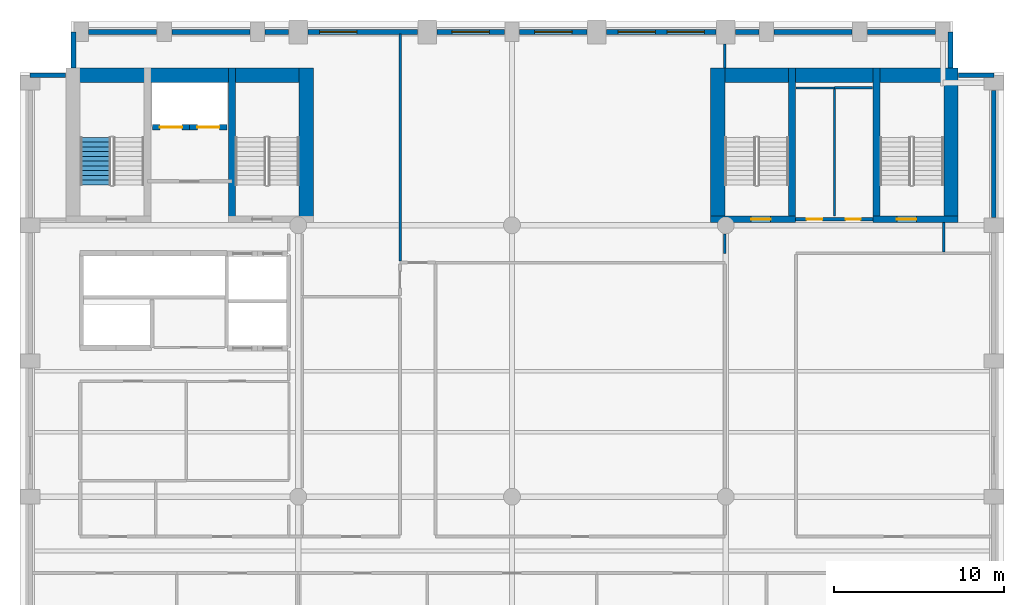
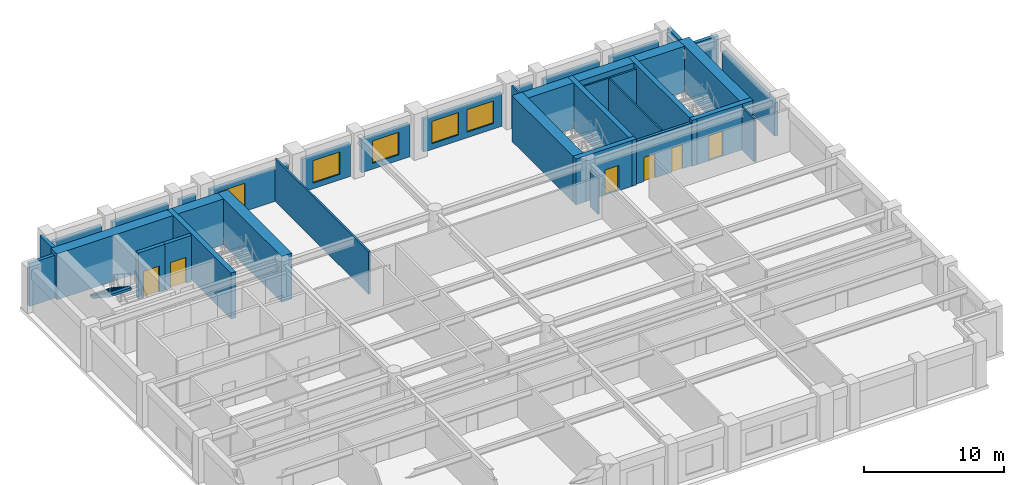
# One storey, part 5 of 8: 35 walls, 6 doors, 5 windows, 1 stair flight, 11 openings, 1 element without a shape of its own.
"""IFC4 building model written with IfcOpenShell, lengths in metres."""

from ifc_helpers import new_model, si_unit, direction, frame, frame_2d, origin, place, context, subcontext, project, spatial, polyline, rectangle, outline, extrude, material, layer, layer_set, type_object, element, fill, aggregate, save


model = new_model("IFC4")

# Units and contexts
model_context = context("Model", 3, precision=1e-05, world=origin(), true_north=direction((0.0, 1.0)))
body_context = subcontext(model_context, "Body", "Model", "MODEL_VIEW")
ifc_project = project(units=[si_unit("LENGTHUNIT", "METRE"), si_unit("AREAUNIT", "SQUARE_METRE"), si_unit("VOLUMEUNIT", "CUBIC_METRE"), si_unit("PLANEANGLEUNIT", "RADIAN"), si_unit("MASSUNIT", "GRAM", prefix="KILO")], contexts=[model_context])

# Site, building, storey
site_placement = place(None, origin())
site = spatial("IfcSite", under=ifc_project, at=site_placement, CompositionType="ELEMENT")
building_placement = place(site_placement, origin())
building = spatial("IfcBuilding", under=site, at=building_placement, Name="Sulina Concourse Tower", CompositionType="ELEMENT")
storey_placement = place(building_placement, frame((0.0, 0.0, 132.60009765625)))
storey = spatial("IfcBuildingStorey", under=building, at=storey_placement, Name="L32", CompositionType="ELEMENT", Elevation=132.60009765625)

# Wall, opening, door
ifc_material_1 = material(Name="Concrete C50/60", Category="concrete")
ifc_layer_1 = layer(ifc_material_1, 0.300048828125)
ifc_layer_set_1 = layer_set([ifc_layer_1], Name="Concrete C50/60")
wall_type_1 = type_object("IfcWallType", Name="Core Lift Hoistway Wall 300mm", PredefinedType="SOLIDWALL", material=ifc_layer_set_1)
wall_1_placement = place(storey_placement, frame((10.0, 39.780029296875, 0.0), z_axis=(0.0, 0.0, 1.0), x_axis=(-1.0, 0.0, 0.0)))
wall_1 = element("IfcWall", 1, at=wall_1_placement, inside=storey, type_object=wall_type_1, Name="L32 hoistway enclosure wall FFL-1", PredefinedType="SOLIDWALL", context=body_context, shape_type="SweptSolid", body=[
    extrude(rectangle(XDim=2.199951171875, YDim=0.300048828125, at=frame_2d((1.10009765625, 0.0))), origin(), (0.0, 0.0, 1.0), 4.0),
])
opening_1_placement = place(wall_1_placement, frame((0.449951171875, 0.0, 0.0)))
opening_1 = element("IfcOpeningElement", 2, at=opening_1_placement, cuts=wall_1, Name="Opening LD-02", PredefinedType="OPENING", context=body_context, shape_type="SweptSolid", body=[
    extrude(rectangle(XDim=1.300048828125, YDim=2.25, at=frame_2d((0.64990234375, 1.125))), frame((0.0, 0.159912109375, 0.0), z_axis=(0.0, -1.0, 0.0), x_axis=(1.0, 0.0, 0.0)), (0.0, 0.0, 1.0), 0.320068359375),
])
ifc_material_2 = material(Name="Stainless steel lift landing door", Category="steel")
ifc_layer_2 = layer(ifc_material_2, 0.050048828125)
ifc_layer_set_2 = layer_set([ifc_layer_2], Name="Stainless steel lift landing door")
door_type_1 = type_object("IfcDoorType", Name="Firefighting Lift Sliding Landing Door 1300x2250", OperationType="SLIDING_TO_RIGHT", PredefinedType="DOOR", material=ifc_layer_set_2)
door_1_placement = place(opening_1_placement, origin())
door_1 = element("IfcDoor", 3, at=door_1_placement, inside=storey, type_object=door_type_1, Name="L32 lift landing sliding door FFL-1", OperationType="SLIDING_TO_LEFT", OverallHeight=2.25, OverallWidth=1.300048828125, PredefinedType="DOOR", context=body_context, shape_type="SweptSolid", body=[
    extrude(rectangle(XDim=1.300048828125, YDim=2.25, at=frame_2d((0.64990234375, 1.125))), frame((0.0, 0.02490234375, 0.0), z_axis=(0.0, -1.0, 0.0), x_axis=(1.0, 0.0, 0.0)), (0.0, 0.0, 1.0), 0.050048828125),
])
fill(opening_1, door_1)

wall_2_placement = place(storey_placement, frame((12.199951171875, 39.780029296875, 0.0), z_axis=(0.0, 0.0, 1.0), x_axis=(-1.0, 0.0, 0.0)))
wall_2 = element("IfcWall", 4, at=wall_2_placement, inside=storey, type_object=wall_type_1, Name="L32 hoistway enclosure wall FFL-2", PredefinedType="SOLIDWALL", context=body_context, shape_type="SweptSolid", body=[
    extrude(rectangle(XDim=2.199951171875, YDim=0.300048828125, at=frame_2d((1.10009765625, 0.0))), origin(), (0.0, 0.0, 1.0), 4.0),
])
opening_2_placement = place(wall_2_placement, frame((0.449951171875, 0.0, 0.0)))
opening_2 = element("IfcOpeningElement", 5, at=opening_2_placement, cuts=wall_2, Name="Opening LD-02", PredefinedType="OPENING", context=body_context, shape_type="SweptSolid", body=[
    extrude(rectangle(XDim=1.300048828125, YDim=2.25, at=frame_2d((0.64990234375, 1.125))), frame((0.0, 0.159912109375, 0.0), z_axis=(0.0, -1.0, 0.0), x_axis=(1.0, 0.0, 0.0)), (0.0, 0.0, 1.0), 0.320068359375),
])
door_2_placement = place(opening_2_placement, origin())
door_2 = element("IfcDoor", 6, at=door_2_placement, inside=storey, type_object=door_type_1, Name="L32 lift landing sliding door FFL-2", OperationType="SLIDING_TO_RIGHT", OverallHeight=2.25, OverallWidth=1.300048828125, PredefinedType="DOOR", context=body_context, shape_type="SweptSolid", body=[
    extrude(rectangle(XDim=1.300048828125, YDim=2.25, at=frame_2d((0.64990234375, 1.125))), frame((0.0, 0.02490234375, 0.0), z_axis=(0.0, -1.0, 0.0), x_axis=(1.0, 0.0, 0.0)), (0.0, 0.0, 1.0), 0.050048828125),
])
fill(opening_2, door_2)

# Wall, openings, doors
ifc_material_3 = material(Name="Gypsum board on steel stud", Category="steel")
ifc_layer_3 = layer(ifc_material_3, 0.219970703125)
ifc_layer_set_3 = layer_set([ifc_layer_3], Name="Gypsum board on steel stud")
wall_type_2 = type_object("IfcWallType", Name="Fire-Rated Lobby & Compartment Wall 220mm", PredefinedType="PARTITIONING", material=ifc_layer_set_3)
wall_3_placement = place(storey_placement, frame((45.719970703125, 34.35009765625, 0.0), z_axis=(0.0, 0.0, 1.0), x_axis=(1.0, 0.0, 0.0)))
wall_3 = element("IfcWall", 7, at=wall_3_placement, inside=storey, type_object=wall_type_2, Name="L32 east core south lobby wall", PredefinedType="PARTITIONING", context=body_context, shape_type="SweptSolid", body=[
    extrude(rectangle(XDim=4.56005859375, YDim=0.219970703125, at=frame_2d((2.280029296875, 0.0))), origin(), (0.0, 0.0, 1.0), 3.724853515625),
])
opening_3_placement = place(wall_3_placement, frame((0.64990234375, 0.0, 0.0)))
opening_3 = element("IfcOpeningElement", 8, at=opening_3_placement, cuts=wall_3, Name="Opening DR-61", PredefinedType="OPENING", context=body_context, shape_type="SweptSolid", body=[
    extrude(rectangle(XDim=0.919921875, YDim=2.10009765625, at=frame_2d((0.4599609375, 1.050048828125))), frame((0.0, 0.119873046875, 0.0), z_axis=(0.0, -1.0, 0.0), x_axis=(1.0, 0.0, 0.0)), (0.0, 0.0, 1.0), 0.239990234375),
])
opening_4_placement = place(wall_3_placement, frame((2.949951171875, 0.0, 0.0)))
opening_4 = element("IfcOpeningElement", 9, at=opening_4_placement, cuts=wall_3, Name="Opening DR-38", PredefinedType="OPENING", context=body_context, shape_type="SweptSolid", body=[
    extrude(rectangle(XDim=0.8798828125, YDim=2.10009765625, at=frame_2d((0.43994140625, 1.050048828125))), frame((0.0, 0.119873046875, 0.0), z_axis=(0.0, -1.0, 0.0), x_axis=(1.0, 0.0, 0.0)), (0.0, 0.0, 1.0), 0.239990234375),
])
ifc_material_4 = material(Name="Oak-veneered fire door leaf")
ifc_layer_4 = layer(ifc_material_4, 0.050048828125)
ifc_layer_set_4 = layer_set([ifc_layer_4], Name="Oak-veneered fire door leaf")
door_type_2 = type_object("IfcDoorType", Name="Accessible WC Door 920x2100", OperationType="NOTDEFINED", PredefinedType="DOOR", material=ifc_layer_set_4)
door_3_placement = place(opening_3_placement, origin())
door_3 = element("IfcDoor", 10, at=door_3_placement, inside=storey, type_object=door_type_2, Name="L32 east core accessible wc door", OperationType="SINGLE_SWING_LEFT", OverallHeight=2.10009765625, OverallWidth=0.919921875, PredefinedType="DOOR", context=body_context, shape_type="SweptSolid", body=[
    extrude(rectangle(XDim=0.919921875, YDim=2.10009765625, at=frame_2d((0.4599609375, 1.050048828125))), frame((0.0, 0.02490234375, 0.0), z_axis=(0.0, -1.0, 0.0), x_axis=(1.0, 0.0, 0.0)), (0.0, 0.0, 1.0), 0.050048828125),
])
fill(opening_3, door_3)
ifc_material_5 = material(Name="Galvanised steel acoustic fire leaf", Category="steel")
ifc_layer_5 = layer(ifc_material_5, 0.050048828125)
ifc_layer_set_5 = layer_set([ifc_layer_5], Name="Galvanised steel acoustic fire leaf")
door_type_3 = type_object("IfcDoorType", Name="Service Riser Fire Door 880x2100", OperationType="NOTDEFINED", PredefinedType="DOOR", material=ifc_layer_set_5)
door_4_placement = place(opening_4_placement, origin())
door_4 = element("IfcDoor", 11, at=door_4_placement, inside=storey, type_object=door_type_3, Name="L32 east core store door", OperationType="SINGLE_SWING_RIGHT", OverallHeight=2.10009765625, OverallWidth=0.8798828125, PredefinedType="DOOR", context=body_context, shape_type="SweptSolid", body=[
    extrude(rectangle(XDim=0.8798828125, YDim=2.10009765625, at=frame_2d((0.43994140625, 1.050048828125))), frame((0.0, 0.02490234375, 0.0), z_axis=(0.0, -1.0, 0.0), x_axis=(1.0, 0.0, 0.0)), (0.0, 0.0, 1.0), 0.050048828125),
])
fill(opening_4, door_4)

# Walls
ifc_material_6 = material(Name="Gypsum board on steel stud", Category="steel")
ifc_layer_6 = layer(ifc_material_6, 0.14990234375)
ifc_layer_set_6 = layer_set([ifc_layer_6], Name="Gypsum board on steel stud")
wall_type_3 = type_object("IfcWallType", Name="Inter-Tenancy Acoustic Partition 150mm", PredefinedType="PARTITIONING", material=ifc_layer_set_6)
wall_4_placement = place(storey_placement, frame((48.0, 42.10009765625, 0.0), z_axis=(0.0, 0.0, 1.0), x_axis=(1.0, 0.0, 0.0)))
element("IfcWall", 12, at=wall_4_placement, inside=storey, type_object=wall_type_3, Name="L32 interior partition 026", PredefinedType="PARTITIONING", context=body_context, shape_type="SweptSolid", body=[
    extrude(rectangle(XDim=2.25, YDim=0.14990234375, at=frame_2d((1.125, 0.0))), origin(), (0.0, 0.0, 1.0), 3.724853515625),
])
wall_5_placement = place(storey_placement, frame((22.39990234375, 31.889892578125, 0.0), z_axis=(0.0, 0.0, 1.0), x_axis=(0.0, 1.0, 0.0)))
element("IfcWall", 13, at=wall_5_placement, inside=storey, type_object=wall_type_3, Name="L32 interior partition 042", PredefinedType="PARTITIONING", context=body_context, shape_type="SweptSolid", body=[
    extrude(rectangle(XDim=13.3701171875, YDim=0.14990234375, at=frame_2d((6.68505859375, 0.0))), origin(), (0.0, 0.0, 1.0), 3.724853515625),
])
wall_6_placement = place(storey_placement, frame((41.550048828125, 32.35009765625, 0.0), z_axis=(0.0, 0.0, 1.0), x_axis=(0.0, 1.0, 0.0)))
element("IfcWall", 14, at=wall_6_placement, inside=storey, type_object=wall_type_3, Name="L32 interior partition 048", PredefinedType="PARTITIONING", context=body_context, shape_type="SweptSolid", body=[
    extrude(rectangle(XDim=1.14990234375, YDim=0.14990234375, at=frame_2d((0.574951171875, 0.0))), origin(), (0.0, 0.0, 1.0), 3.06982421875),
])
wall_7_placement = place(storey_placement, frame((41.550048828125, 43.280029296875, 0.0), z_axis=(0.0, 0.0, 1.0), x_axis=(0.0, 1.0, 0.0)))
element("IfcWall", 15, at=wall_7_placement, inside=storey, type_object=wall_type_3, Name="L32 interior partition 049", PredefinedType="PARTITIONING", context=body_context, shape_type="SweptSolid", body=[
    extrude(rectangle(XDim=1.419921875, YDim=0.14990234375, at=frame_2d((0.7099609375, 0.0))), origin(), (0.0, 0.0, 1.0), 3.724853515625),
])
wall_8_placement = place(storey_placement, frame((54.449951171875, 32.425048828125, 0.0), z_axis=(0.0, 0.0, 1.0), x_axis=(0.0, 1.0, 0.0)))
element("IfcWall", 16, at=wall_8_placement, inside=storey, type_object=wall_type_3, Name="L32 interior partition 053", PredefinedType="PARTITIONING", context=body_context, shape_type="SweptSolid", body=[
    extrude(rectangle(XDim=1.724853515625, YDim=0.14990234375, at=frame_2d((0.8623046875, 0.0))), origin(), (0.0, 0.0, 1.0), 3.724853515625),
])
ifc_material_7 = material(Name="Concrete C60/75", Category="concrete")
ifc_layer_7 = layer(ifc_material_7, 0.39990234375)
ifc_layer_set_7 = layer_set([ifc_layer_7], Name="Concrete C60/75")
wall_type_4 = type_object("IfcWallType", Name="Protected Stair Core Shear Wall 400mm", PredefinedType="SHEAR", material=ifc_layer_set_7)
wall_9_placement = place(storey_placement, frame((12.489990234375, 34.14990234375, 0.0), z_axis=(0.0, 0.0, 1.0), x_axis=(0.0, 1.0, 0.0)))
element("IfcWall", 17, at=wall_9_placement, inside=storey, type_object=wall_type_4, Name="L32 west core shear wall SW-ST2", PredefinedType="SHEAR", context=body_context, shape_type="SweptSolid", body=[
    extrude(rectangle(XDim=9.130126953125, YDim=0.39990234375, at=frame_2d((4.56494140625, 0.0))), origin(), (0.0, 0.0, 1.0), 4.0),
])

# Wall, opening, door
wall_10_placement = place(storey_placement, frame((40.699951171875, 34.35009765625, 0.0), z_axis=(0.0, 0.0, 1.0), x_axis=(1.0, 0.0, 0.0)))
wall_10 = element("IfcWall", 18, at=wall_10_placement, inside=storey, type_object=wall_type_4, Name="L32 east core shear wall CW-ES1", PredefinedType="SHEAR", context=body_context, shape_type="SweptSolid", body=[
    extrude(rectangle(XDim=5.010009765625, YDim=0.39990234375, at=frame_2d((2.5048828125, 0.0))), origin(), (0.0, 0.0, 1.0), 4.0),
])
opening_5_placement = place(wall_10_placement, frame((2.39990234375, 0.0, 0.0)))
opening_5 = element("IfcOpeningElement", 19, at=opening_5_placement, cuts=wall_10, Name="Opening DR-60", PredefinedType="OPENING", context=body_context, shape_type="SweptSolid", body=[
    extrude(rectangle(XDim=1.14990234375, YDim=2.199951171875, at=frame_2d((0.574951171875, 1.10009765625))), frame((0.0, 0.2099609375, 0.0), z_axis=(0.0, -1.0, 0.0), x_axis=(1.0, 0.0, 0.0)), (0.0, 0.0, 1.0), 0.419921875),
])
ifc_material_8 = material(Name="Galvanised steel acoustic fire leaf", Category="steel")
ifc_layer_8 = layer(ifc_material_8, 0.054931640625)
ifc_layer_set_8 = layer_set([ifc_layer_8], Name="Galvanised steel acoustic fire leaf")
door_type_4 = type_object("IfcDoorType", Name="Protected Exit Stair Fire Door 1150x2200", OperationType="NOTDEFINED", PredefinedType="DOOR", material=ifc_layer_set_8)
door_5_placement = place(opening_5_placement, origin())
door_5 = element("IfcDoor", 20, at=door_5_placement, inside=storey, type_object=door_type_4, Name="L32 stair ST-3 south lobby fire door", OperationType="SINGLE_SWING_RIGHT", OverallHeight=2.199951171875, OverallWidth=1.14990234375, PredefinedType="DOOR", context=body_context, shape_type="SweptSolid", body=[
    extrude(rectangle(XDim=1.14990234375, YDim=2.199951171875, at=frame_2d((0.574951171875, 1.10009765625))), frame((0.0, 0.02490234375, 0.0), z_axis=(0.0, -1.0, 0.0), x_axis=(1.0, 0.0, 0.0)), (0.0, 0.0, 1.0), 0.050048828125),
])
fill(opening_5, door_5)

# Wall
wall_11_placement = place(storey_placement, frame((45.510009765625, 34.14990234375, 0.0), z_axis=(0.0, 0.0, 1.0), x_axis=(0.0, 1.0, 0.0)))
element("IfcWall", 21, at=wall_11_placement, inside=storey, type_object=wall_type_4, Name="L32 east core shear wall SW-ST3", PredefinedType="SHEAR", context=body_context, shape_type="SweptSolid", body=[
    extrude(rectangle(XDim=9.130126953125, YDim=0.39990234375, at=frame_2d((4.56494140625, 0.0))), origin(), (0.0, 0.0, 1.0), 4.0),
])

# Wall, opening, door
wall_12_placement = place(storey_placement, frame((50.2900390625, 34.35009765625, 0.0), z_axis=(0.0, 0.0, 1.0), x_axis=(1.0, 0.0, 0.0)))
wall_12 = element("IfcWall", 22, at=wall_12_placement, inside=storey, type_object=wall_type_4, Name="L32 east core shear wall CW-ES2", PredefinedType="SHEAR", context=body_context, shape_type="SweptSolid", body=[
    extrude(rectangle(XDim=5.010009765625, YDim=0.39990234375, at=frame_2d((2.5048828125, 0.0))), origin(), (0.0, 0.0, 1.0), 4.0),
])
opening_6_placement = place(wall_12_placement, frame((1.39990234375, 0.0, 0.0)))
opening_6 = element("IfcOpeningElement", 23, at=opening_6_placement, cuts=wall_12, Name="Opening DR-60", PredefinedType="OPENING", context=body_context, shape_type="SweptSolid", body=[
    extrude(rectangle(XDim=1.14990234375, YDim=2.199951171875, at=frame_2d((0.574951171875, 1.10009765625))), frame((0.0, 0.2099609375, 0.0), z_axis=(0.0, -1.0, 0.0), x_axis=(1.0, 0.0, 0.0)), (0.0, 0.0, 1.0), 0.419921875),
])
door_6_placement = place(opening_6_placement, origin())
door_6 = element("IfcDoor", 24, at=door_6_placement, inside=storey, type_object=door_type_4, Name="L32 stair ST-4 south lobby fire door", OperationType="SINGLE_SWING_LEFT", OverallHeight=2.199951171875, OverallWidth=1.14990234375, PredefinedType="DOOR", context=body_context, shape_type="SweptSolid", body=[
    extrude(rectangle(XDim=1.14990234375, YDim=2.199951171875, at=frame_2d((0.574951171875, 1.10009765625))), frame((0.0, 0.02490234375, 0.0), z_axis=(0.0, -1.0, 0.0), x_axis=(1.0, 0.0, 0.0)), (0.0, 0.0, 1.0), 0.050048828125),
])
fill(opening_6, door_6)

# Walls
wall_13_placement = place(storey_placement, frame((50.489990234375, 34.14990234375, 0.0), z_axis=(0.0, 0.0, 1.0), x_axis=(0.0, 1.0, 0.0)))
element("IfcWall", 25, at=wall_13_placement, inside=storey, type_object=wall_type_4, Name="L32 east core shear wall SW-ST4", PredefinedType="SHEAR", context=body_context, shape_type="SweptSolid", body=[
    extrude(rectangle(XDim=9.130126953125, YDim=0.39990234375, at=frame_2d((4.56494140625, 0.0))), origin(), (0.0, 0.0, 1.0), 4.0),
])
ifc_material_9 = material(Name="Concrete C60/75", Category="concrete")
ifc_layer_9 = layer(ifc_material_9, 0.85009765625)
ifc_layer_set_9 = layer_set([ifc_layer_9], Name="Concrete C60/75")
wall_type_5 = type_object("IfcWallType", Name="Rear Core Shear Wall 850mm", PredefinedType="SHEAR", material=ifc_layer_set_9)
wall_14_placement = place(storey_placement, frame((2.699951171875, 42.85498046875, 0.0), z_axis=(0.0, 0.0, 1.0), x_axis=(1.0, 0.0, 0.0)))
element("IfcWall", 26, at=wall_14_placement, inside=storey, type_object=wall_type_5, Name="L32 west core shear wall CW-WN", PredefinedType="SHEAR", context=body_context, shape_type="SweptSolid", body=[
    extrude(rectangle(XDim=14.60009765625, YDim=0.85009765625, at=frame_2d((7.300048828125, 0.0))), origin(), (0.0, 0.0, 1.0), 4.0),
])
wall_15_placement = place(storey_placement, frame((16.875, 34.14990234375, 0.0), z_axis=(0.0, 0.0, 1.0), x_axis=(0.0, 1.0, 0.0)))
element("IfcWall", 27, at=wall_15_placement, inside=storey, type_object=wall_type_5, Name="L32 west core shear wall CW-WE", PredefinedType="SHEAR", context=body_context, shape_type="SweptSolid", body=[
    extrude(rectangle(XDim=9.130126953125, YDim=0.85009765625, at=frame_2d((4.56494140625, 0.0))), origin(), (0.0, 0.0, 1.0), 4.0),
])
wall_16_placement = place(storey_placement, frame((40.699951171875, 42.85498046875, 0.0), z_axis=(0.0, 0.0, 1.0), x_axis=(1.0, 0.0, 0.0)))
element("IfcWall", 28, at=wall_16_placement, inside=storey, type_object=wall_type_5, Name="L32 east core shear wall CW-EN", PredefinedType="SHEAR", context=body_context, shape_type="SweptSolid", body=[
    extrude(rectangle(XDim=14.60009765625, YDim=0.85009765625, at=frame_2d((7.300048828125, 0.0))), origin(), (0.0, 0.0, 1.0), 4.0),
])
for number, where, z_axis, x_axis, name in (
    (29, (41.125, 34.14990234375, 0.0), (0.0, 0.0, 1.0), (0.0, 1.0, 0.0), "L32 east core shear wall CW-EW"),
    (30, (54.875, 34.14990234375, 0.0), (0.0, 0.0, 1.0), (0.0, 1.0, 0.0), "L32 east core shear wall CW-EE"),
):
    element("IfcWall", number, at=place(storey_placement, frame(where, z_axis=z_axis, x_axis=x_axis)), inside=storey, type_object=wall_type_5, Name=name, PredefinedType="SHEAR", context=body_context, shape_type="SweptSolid", body=[
        extrude(rectangle(XDim=9.130126953125, YDim=0.85009765625, at=frame_2d((4.56494140625, 0.0))), origin(), (0.0, 0.0, 1.0), 4.0),
    ])
ifc_material_10 = material(Name="Precast concrete C50/60", Category="concrete")
ifc_layer_10 = layer(ifc_material_10, 0.280029296875)
ifc_layer_set_10 = layer_set([ifc_layer_10], Name="Precast concrete C50/60")
wall_type_6 = type_object("IfcWallType", Name="Typical Precast Masonry-Frame Facade Wall 280mm", PredefinedType="SOLIDWALL", material=ifc_layer_set_10)
wall_17_placement = place(storey_placement, frame((4.044921875, 45.39990234375, 0.0), z_axis=(0.0, 0.0, 1.0), x_axis=(1.0, 0.0, 0.0)))
element("IfcWall", 31, at=wall_17_placement, inside=storey, type_object=wall_type_6, Name="L32 exterior precast wall N1", PredefinedType="SOLIDWALL", context=body_context, shape_type="SweptSolid", body=[
    extrude(rectangle(XDim=4.010009765625, YDim=0.280029296875, at=frame_2d((2.0048828125, 0.0))), origin(), (0.0, 0.0, 1.0), 2.875),
])
wall_18_placement = place(storey_placement, frame((8.945068359375, 45.39990234375, 0.0), z_axis=(0.0, 0.0, 1.0), x_axis=(1.0, 0.0, 0.0)))
element("IfcWall", 32, at=wall_18_placement, inside=storey, type_object=wall_type_6, Name="L32 exterior precast wall N2", PredefinedType="SOLIDWALL", context=body_context, shape_type="SweptSolid", body=[
    extrude(rectangle(XDim=4.60986328125, YDim=0.280029296875, at=frame_2d((2.304931640625, 0.0))), origin(), (0.0, 0.0, 1.0), 2.875),
])
wall_19_placement = place(storey_placement, frame((14.445068359375, 45.39990234375, 0.0), z_axis=(0.0, 0.0, 1.0), x_axis=(1.0, 0.0, 0.0)))
element("IfcWall", 33, at=wall_19_placement, inside=storey, type_object=wall_type_6, Name="L32 exterior precast wall N3", PredefinedType="SOLIDWALL", context=body_context, shape_type="SweptSolid", body=[
    extrude(rectangle(XDim=1.385009765625, YDim=0.280029296875, at=frame_2d((0.6923828125, 0.0))), origin(), (0.0, 0.0, 1.0), 2.875),
])

# Wall, opening, window
wall_20_placement = place(storey_placement, frame((16.969970703125, 45.39990234375, 0.0), z_axis=(0.0, 0.0, 1.0), x_axis=(1.0, 0.0, 0.0)))
wall_20 = element("IfcWall", 34, at=wall_20_placement, inside=storey, type_object=wall_type_6, Name="L32 exterior precast wall N4", PredefinedType="SOLIDWALL", context=body_context, shape_type="SweptSolid", body=[
    extrude(rectangle(XDim=6.4599609375, YDim=0.280029296875, at=frame_2d((3.22998046875, 0.0))), origin(), (0.0, 0.0, 1.0), 2.875),
])
opening_7_placement = place(wall_20_placement, frame((0.686767578125, 0.0, 0.5)))
opening_7 = element("IfcOpeningElement", 35, at=opening_7_placement, cuts=wall_20, Name="Opening WN-76", PredefinedType="OPENING", context=body_context, shape_type="SweptSolid", body=[
    extrude(rectangle(XDim=2.199951171875, YDim=1.949951171875, at=frame_2d((1.10009765625, 0.97509765625))), frame((0.0, 0.14990234375, 0.0), z_axis=(0.0, -1.0, 0.0), x_axis=(1.0, 0.0, 0.0)), (0.0, 0.0, 1.0), 0.300048828125),
])
ifc_material_11 = material(Name="Low-E solar double glazing in bronze aluminium", Category="aluminium")
window_type = type_object("IfcWindowType", Name="Recessed Spandrel Window 2200x1950", PartitioningType="DOUBLE_PANEL_VERTICAL", PredefinedType="WINDOW", material=ifc_material_11)
window_1_placement = place(opening_7_placement, origin())
window_1 = element("IfcWindow", 36, at=window_1_placement, inside=storey, type_object=window_type, Name="L32 punched window N4-1", OverallHeight=1.949951171875, OverallWidth=2.199951171875, PartitioningType="SINGLE_PANEL", PredefinedType="WINDOW", context=body_context, shape_type="SweptSolid", body=[
    extrude(rectangle(XDim=2.199951171875, YDim=1.949951171875, at=frame_2d((1.10009765625, 0.97509765625))), frame((0.0, 0.030029296875, 0.0), z_axis=(0.0, -1.0, 0.0), x_axis=(1.0, 0.0, 0.0)), (0.0, 0.0, 1.0), 0.06005859375),
])
fill(opening_7, window_1)

wall_21_placement = place(storey_placement, frame((24.570068359375, 45.39990234375, 0.0), z_axis=(0.0, 0.0, 1.0), x_axis=(1.0, 0.0, 0.0)))
wall_21 = element("IfcWall", 37, at=wall_21_placement, inside=storey, type_object=wall_type_6, Name="L32 exterior precast wall N5", PredefinedType="SOLIDWALL", context=body_context, shape_type="SweptSolid", body=[
    extrude(rectangle(XDim=3.98486328125, YDim=0.280029296875, at=frame_2d((1.992431640625, 0.0))), origin(), (0.0, 0.0, 1.0), 2.875),
])
opening_8_placement = place(wall_21_placement, frame((0.892578125, 0.0, 0.5)))
opening_8 = element("IfcOpeningElement", 38, at=opening_8_placement, cuts=wall_21, Name="Opening WN-76", PredefinedType="OPENING", context=body_context, shape_type="SweptSolid", body=[
    extrude(rectangle(XDim=2.199951171875, YDim=1.949951171875, at=frame_2d((1.10009765625, 0.97509765625))), frame((0.0, 0.14990234375, 0.0), z_axis=(0.0, -1.0, 0.0), x_axis=(1.0, 0.0, 0.0)), (0.0, 0.0, 1.0), 0.300048828125),
])
window_2_placement = place(opening_8_placement, origin())
window_2 = element("IfcWindow", 39, at=window_2_placement, inside=storey, type_object=window_type, Name="L32 punched window N5-1", OverallHeight=1.949951171875, OverallWidth=2.199951171875, PartitioningType="SINGLE_PANEL", PredefinedType="WINDOW", context=body_context, shape_type="SweptSolid", body=[
    extrude(rectangle(XDim=2.199951171875, YDim=1.949951171875, at=frame_2d((1.10009765625, 0.97509765625))), frame((0.0, 0.030029296875, 0.0), z_axis=(0.0, -1.0, 0.0), x_axis=(1.0, 0.0, 0.0)), (0.0, 0.0, 1.0), 0.06005859375),
])
fill(opening_8, window_2)

wall_22_placement = place(storey_placement, frame((29.445068359375, 45.39990234375, 0.0), z_axis=(0.0, 0.0, 1.0), x_axis=(1.0, 0.0, 0.0)))
wall_22 = element("IfcWall", 40, at=wall_22_placement, inside=storey, type_object=wall_type_6, Name="L32 exterior precast wall N6", PredefinedType="SOLIDWALL", context=body_context, shape_type="SweptSolid", body=[
    extrude(rectangle(XDim=3.98486328125, YDim=0.280029296875, at=frame_2d((1.992431640625, 0.0))), origin(), (0.0, 0.0, 1.0), 2.875),
])
opening_9_placement = place(wall_22_placement, frame((0.892578125, 0.0, 0.5)))
opening_9 = element("IfcOpeningElement", 41, at=opening_9_placement, cuts=wall_22, Name="Opening WN-76", PredefinedType="OPENING", context=body_context, shape_type="SweptSolid", body=[
    extrude(rectangle(XDim=2.199951171875, YDim=1.949951171875, at=frame_2d((1.10009765625, 0.97509765625))), frame((0.0, 0.14990234375, 0.0), z_axis=(0.0, -1.0, 0.0), x_axis=(1.0, 0.0, 0.0)), (0.0, 0.0, 1.0), 0.300048828125),
])
window_3_placement = place(opening_9_placement, origin())
window_3 = element("IfcWindow", 42, at=window_3_placement, inside=storey, type_object=window_type, Name="L32 punched window N6-1", OverallHeight=1.949951171875, OverallWidth=2.199951171875, PartitioningType="SINGLE_PANEL", PredefinedType="WINDOW", context=body_context, shape_type="SweptSolid", body=[
    extrude(rectangle(XDim=2.199951171875, YDim=1.949951171875, at=frame_2d((1.10009765625, 0.97509765625))), frame((0.0, 0.030029296875, 0.0), z_axis=(0.0, -1.0, 0.0), x_axis=(1.0, 0.0, 0.0)), (0.0, 0.0, 1.0), 0.06005859375),
])
fill(opening_9, window_3)

# Wall, openings, windows
wall_23_placement = place(storey_placement, frame((34.570068359375, 45.39990234375, 0.0), z_axis=(0.0, 0.0, 1.0), x_axis=(1.0, 0.0, 0.0)))
wall_23 = element("IfcWall", 43, at=wall_23_placement, inside=storey, type_object=wall_type_6, Name="L32 exterior precast wall N7", PredefinedType="SOLIDWALL", context=body_context, shape_type="SweptSolid", body=[
    extrude(rectangle(XDim=6.4599609375, YDim=0.280029296875, at=frame_2d((3.22998046875, 0.0))), origin(), (0.0, 0.0, 1.0), 2.875),
])
opening_10_placement = place(wall_23_placement, frame((0.686767578125, 0.0, 0.5)))
opening_10 = element("IfcOpeningElement", 44, at=opening_10_placement, cuts=wall_23, Name="Opening WN-76", PredefinedType="OPENING", context=body_context, shape_type="SweptSolid", body=[
    extrude(rectangle(XDim=2.199951171875, YDim=1.949951171875, at=frame_2d((1.10009765625, 0.97509765625))), frame((0.0, 0.14990234375, 0.0), z_axis=(0.0, -1.0, 0.0), x_axis=(1.0, 0.0, 0.0)), (0.0, 0.0, 1.0), 0.300048828125),
])
opening_11_placement = place(wall_23_placement, frame((3.5732421875, 0.0, 0.5)))
opening_11 = element("IfcOpeningElement", 45, at=opening_11_placement, cuts=wall_23, Name="Opening WN-76", PredefinedType="OPENING", context=body_context, shape_type="SweptSolid", body=[
    extrude(rectangle(XDim=2.199951171875, YDim=1.949951171875, at=frame_2d((1.10009765625, 0.97509765625))), frame((0.0, 0.14990234375, 0.0), z_axis=(0.0, -1.0, 0.0), x_axis=(1.0, 0.0, 0.0)), (0.0, 0.0, 1.0), 0.300048828125),
])
window_4_placement = place(opening_10_placement, origin())
window_4 = element("IfcWindow", 46, at=window_4_placement, inside=storey, type_object=window_type, Name="L32 punched window N7-1", OverallHeight=1.949951171875, OverallWidth=2.199951171875, PartitioningType="SINGLE_PANEL", PredefinedType="WINDOW", context=body_context, shape_type="SweptSolid", body=[
    extrude(rectangle(XDim=2.199951171875, YDim=1.949951171875, at=frame_2d((1.10009765625, 0.97509765625))), frame((0.0, 0.030029296875, 0.0), z_axis=(0.0, -1.0, 0.0), x_axis=(1.0, 0.0, 0.0)), (0.0, 0.0, 1.0), 0.06005859375),
])
fill(opening_10, window_4)
window_5_placement = place(opening_11_placement, origin())
window_5 = element("IfcWindow", 47, at=window_5_placement, inside=storey, type_object=window_type, Name="L32 punched window N7-2", OverallHeight=1.949951171875, OverallWidth=2.199951171875, PartitioningType="SINGLE_PANEL", PredefinedType="WINDOW", context=body_context, shape_type="SweptSolid", body=[
    extrude(rectangle(XDim=2.199951171875, YDim=1.949951171875, at=frame_2d((1.10009765625, 0.97509765625))), frame((0.0, 0.030029296875, 0.0), z_axis=(0.0, -1.0, 0.0), x_axis=(1.0, 0.0, 0.0)), (0.0, 0.0, 1.0), 0.06005859375),
])
fill(opening_11, window_5)

# Walls
wall_24_placement = place(storey_placement, frame((42.169921875, 45.39990234375, 0.0), z_axis=(0.0, 0.0, 1.0), x_axis=(1.0, 0.0, 0.0)))
element("IfcWall", 48, at=wall_24_placement, inside=storey, type_object=wall_type_6, Name="L32 exterior precast wall N8", PredefinedType="SOLIDWALL", context=body_context, shape_type="SweptSolid", body=[
    extrude(rectangle(XDim=1.385009765625, YDim=0.280029296875, at=frame_2d((0.6923828125, 0.0))), origin(), (0.0, 0.0, 1.0), 2.875),
])
wall_25_placement = place(storey_placement, frame((44.445068359375, 45.39990234375, 0.0), z_axis=(0.0, 0.0, 1.0), x_axis=(1.0, 0.0, 0.0)))
element("IfcWall", 49, at=wall_25_placement, inside=storey, type_object=wall_type_6, Name="L32 exterior precast wall N9", PredefinedType="SOLIDWALL", context=body_context, shape_type="SweptSolid", body=[
    extrude(rectangle(XDim=4.60986328125, YDim=0.280029296875, at=frame_2d((2.304931640625, 0.0))), origin(), (0.0, 0.0, 1.0), 2.875),
])
wall_26_placement = place(storey_placement, frame((49.945068359375, 45.39990234375, 0.0), z_axis=(0.0, 0.0, 1.0), x_axis=(1.0, 0.0, 0.0)))
element("IfcWall", 50, at=wall_26_placement, inside=storey, type_object=wall_type_6, Name="L32 exterior precast wall N10", PredefinedType="SOLIDWALL", context=body_context, shape_type="SweptSolid", body=[
    extrude(rectangle(XDim=4.010009765625, YDim=0.280029296875, at=frame_2d((2.0048828125, 0.0))), origin(), (0.0, 0.0, 1.0), 2.875),
])
wall_27_placement = place(storey_placement, frame((57.39990234375, 41.955078125, 0.0), z_axis=(0.0, 0.0, 1.0), x_axis=(0.0, -1.0, 0.0)))
element("IfcWall", 51, at=wall_27_placement, inside=storey, type_object=wall_type_6, Name="L32 exterior precast wall E5", PredefinedType="SOLIDWALL", context=body_context, shape_type="SweptSolid", body=[
    extrude(rectangle(XDim=7.510009765625, YDim=0.280029296875, at=frame_2d((3.7548828125, 0.0))), origin(), (0.0, 0.0, 1.0), 2.875),
])
wall_28_placement = place(storey_placement, frame((0.60009765625, 42.844970703125, 0.0), z_axis=(0.0, 0.0, 1.0), x_axis=(1.0, 0.0, 0.0)))
element("IfcWall", 52, at=wall_28_placement, inside=storey, type_object=wall_type_6, Name="L32 exterior precast wall CNW1", PredefinedType="SOLIDWALL", context=body_context, shape_type="SweptSolid", body=[
    extrude(rectangle(XDim=2.094970703125, YDim=0.280029296875, at=frame_2d((1.04736328125, 0.0))), origin(), (0.0, 0.0, 1.0), 3.724853515625),
])
for number, where, z_axis, x_axis, name in (
    (53, (3.155029296875, 43.284912109375, 0.0), (0.0, 0.0, 1.0), (0.0, 1.0, 0.0), "L32 exterior precast wall CNW2"),
    (54, (54.844970703125, 45.39990234375, 0.0), (0.0, 0.0, 1.0), (0.0, -1.0, 0.0), "L32 exterior precast wall CNE1"),
):
    element("IfcWall", number, at=place(storey_placement, frame(where, z_axis=z_axis, x_axis=x_axis)), inside=storey, type_object=wall_type_6, Name=name, PredefinedType="SOLIDWALL", context=body_context, shape_type="SweptSolid", body=[
        extrude(rectangle(XDim=2.114990234375, YDim=0.280029296875, at=frame_2d((1.0576171875, 0.0))), origin(), (0.0, 0.0, 1.0), 3.724853515625),
    ])
wall_29_placement = place(storey_placement, frame((55.304931640625, 42.844970703125, 0.0), z_axis=(0.0, 0.0, 1.0), x_axis=(1.0, 0.0, 0.0)))
element("IfcWall", 55, at=wall_29_placement, inside=storey, type_object=wall_type_6, Name="L32 exterior precast wall CNE2", PredefinedType="SOLIDWALL", context=body_context, shape_type="SweptSolid", body=[
    extrude(rectangle(XDim=2.094970703125, YDim=0.280029296875, at=frame_2d((1.04736328125, 0.0))), origin(), (0.0, 0.0, 1.0), 3.724853515625),
])
ifc_material_12 = material(Name="Gypsum board on steel stud", Category="steel")
ifc_layer_11 = layer(ifc_material_12, 0.125)
ifc_layer_set_11 = layer_set([ifc_layer_11], Name="Gypsum board on steel stud")
wall_type_7 = type_object("IfcWallType", Name="Wet-Area Moisture-Resistant Partition 125mm", PredefinedType="PARTITIONING", material=ifc_layer_set_11)
wall_30_placement = place(storey_placement, frame((45.75, 42.10009765625, 0.0), z_axis=(0.0, 0.0, 1.0), x_axis=(1.0, 0.0, 0.0)))
element("IfcWall", 56, at=wall_30_placement, inside=storey, type_object=wall_type_7, Name="L32 interior partition 025", PredefinedType="PARTITIONING", context=body_context, shape_type="SweptSolid", body=[
    extrude(rectangle(XDim=2.25, YDim=0.125, at=frame_2d((1.125, 0.0))), origin(), (0.0, 0.0, 1.0), 3.724853515625),
])
wall_31_placement = place(storey_placement, frame((48.0, 34.550048828125, 0.0), z_axis=(0.0, 0.0, 1.0), x_axis=(0.0, 1.0, 0.0)))
element("IfcWall", 57, at=wall_31_placement, inside=storey, type_object=wall_type_7, Name="L32 interior partition 052", PredefinedType="PARTITIONING", context=body_context, shape_type="SweptSolid", body=[
    extrude(rectangle(XDim=7.474853515625, YDim=0.125, at=frame_2d((3.7373046875, 0.0))), origin(), (0.0, 0.0, 1.0), 3.724853515625),
])

# Stair, stair flight
ifc_material_13 = material(Name="Concrete C50/60", Category="concrete")
stair_type = type_object("IfcStairType", Name="Primary Core Dog-Leg Exit Stair 1800mm", PredefinedType="HALF_TURN_STAIR", material=ifc_material_13)
stair_placement = place(storey_placement, origin())
stair = element("IfcStair", 58, at=stair_placement, inside=storey, type_object=stair_type, Name="L32 ST-1", PredefinedType="HALF_TURN_STAIR")
ifc_material_14 = material(Name="Concrete C50/60", Category="concrete")
stair_flight_type = type_object("IfcStairFlightType", Name="Primary Core Dog-Leg Exit Stair 1800mm Flight", PredefinedType="STRAIGHT", material=ifc_material_14)
stair_flight_placement = place(storey_placement, frame((4.455078125, 39.175048828125, 2.0), z_axis=(0.0, 0.0, 1.0), x_axis=(0.0, -1.0, 0.0)))
stair_flight = element("IfcStairFlight", 59, at=stair_flight_placement, type_object=stair_flight_type, Name="ST-1 flight 2", NumberOfRisers=11, NumberOfTreads=10, PredefinedType="STRAIGHT", RiserHeight=0.181818182, TreadLength=0.28, context=body_context, shape_type="SweptSolid", body=[
    extrude(outline(polyline([(0.0, 0.0), (0.0, 0.181884765625), (0.280029296875, 0.181884765625), (0.280029296875, 0.363525390625), (0.56005859375, 0.363525390625), (0.56005859375, 0.54541015625), (0.840087890625, 0.54541015625), (0.840087890625, 0.727294921875), (1.1201171875, 0.727294921875), (1.1201171875, 0.9091796875), (1.39990234375, 0.9091796875), (1.39990234375, 1.0908203125), (1.679931640625, 1.0908203125), (1.679931640625, 1.272705078125), (1.9599609375, 1.272705078125), (1.9599609375, 1.45458984375), (2.239990234375, 1.45458984375), (2.239990234375, 1.636474609375), (2.52001953125, 1.636474609375), (2.52001953125, 1.818115234375), (2.800048828125, 1.818115234375), (2.800048828125, 2.0), (2.800048828125, 1.603759765625), (0.330322265625, 0.0), (0.0, 0.0)])), frame((0.0, 0.89990234375, 0.0), z_axis=(0.0, -1.0, 0.0), x_axis=(1.0, 0.0, 0.0)), (0.0, 0.0, 1.0), 1.800048828125),
])
aggregate(stair, [stair_flight])

save(model, "model.ifc")
